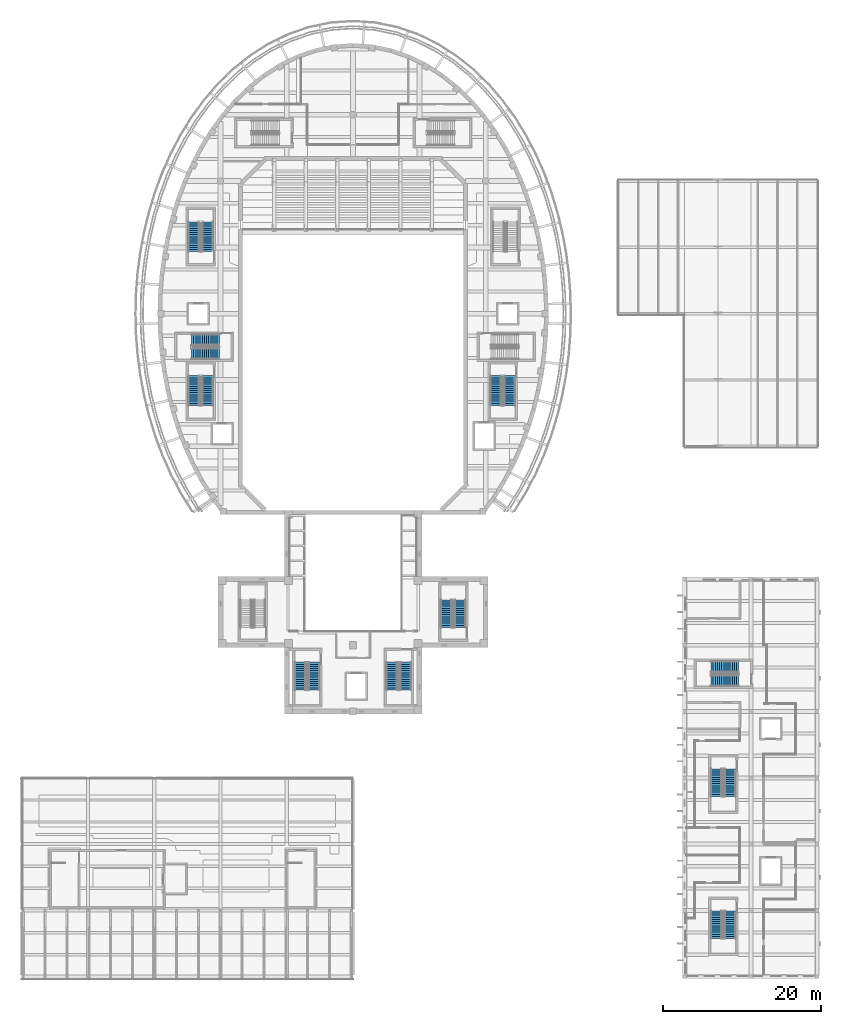
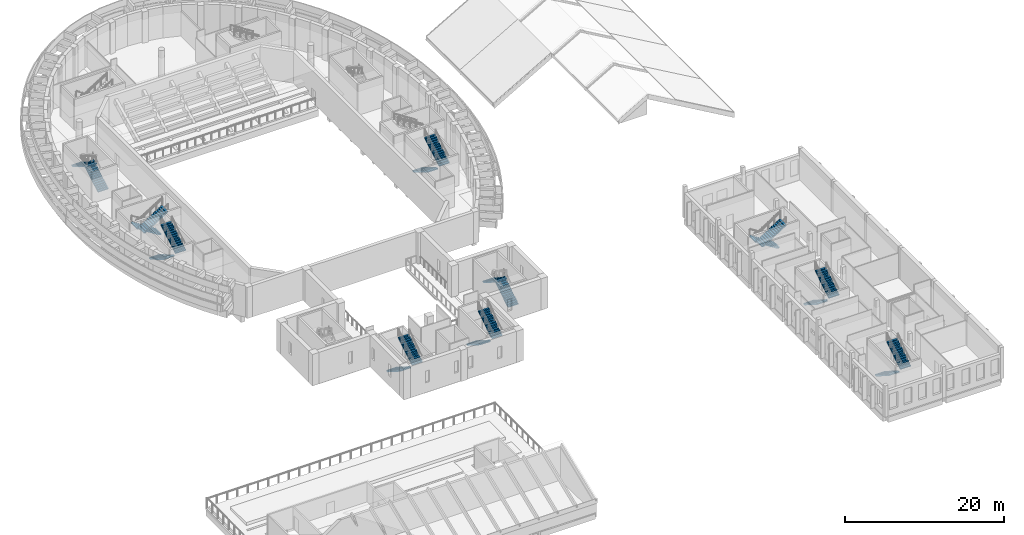
# One storey, part 15 of 37: 20 stair flights, 10 elements without a shape of their own.
"""IFC4 building model written with IfcOpenShell, lengths in metres."""

from ifc_helpers import new_model, si_unit, direction, frame, origin, place, context, subcontext, project, spatial, polyline, outline, extrude, material, type_object, element, aggregate, save


model = new_model("IFC4")

# Units and contexts
model_context = context("Model", 3, precision=1e-05, world=origin(), true_north=direction((0.0, 1.0)))
body_context = subcontext(model_context, "Body", "Model", "MODEL_VIEW")
ifc_project = project(units=[si_unit("LENGTHUNIT", "METRE"), si_unit("AREAUNIT", "SQUARE_METRE"), si_unit("VOLUMEUNIT", "CUBIC_METRE"), si_unit("PLANEANGLEUNIT", "RADIAN"), si_unit("MASSUNIT", "GRAM", prefix="KILO")], contexts=[model_context])

# Site, building, storey
site_placement = place(None, origin())
site = spatial("IfcSite", under=ifc_project, at=site_placement, CompositionType="ELEMENT")
building_placement = place(site_placement, origin())
building = spatial("IfcBuilding", under=site, at=building_placement, Name="Larchfold Concert Hall", CompositionType="ELEMENT")
storey_placement = place(building_placement, frame((0.0, 0.0, 19.199951171875)))
storey = spatial("IfcBuildingStorey", under=building, at=storey_placement, Name="L04", CompositionType="ELEMENT", Elevation=19.199951171875)

# Stair, stair flights
ifc_material_1 = material(Name="Concrete C35/45", Category="concrete")
stair_type = type_object("IfcStairType", Name="Stair RC half-turn enclosed", PredefinedType="HALF_TURN_STAIR", material=ifc_material_1)
stair_1_placement = place(storey_placement, origin())
stair_1 = element("IfcStair", 1, at=stair_1_placement, inside=storey, type_object=stair_type, Name="Stair DS4", PredefinedType="HALF_TURN_STAIR")
ifc_material_2 = material(Name="Concrete C35/45", Category="concrete")
stair_flight_type_1 = type_object("IfcStairFlightType", Name="Stair flight RC 1500 x 160.0", PredefinedType="STRAIGHT", material=ifc_material_2)
stair_flight_1_placement = place(storey_placement, frame((24.14990234375, 92.449951171875, 0.0), z_axis=(0.0, 0.0, 1.0), x_axis=(0.0, 1.0, 0.0)))
stair_flight_1 = element("IfcStairFlight", 2, at=stair_flight_1_placement, type_object=stair_flight_type_1, Name="ST04 flight 1", NumberOfRisers=15, NumberOfTreads=14, PredefinedType="STRAIGHT", RiserHeight=0.16, TreadLength=0.27, context=body_context, shape_type="SweptSolid", body=[
    extrude(outline(polyline([(0.0, 0.0), (0.0, 0.159912109375), (0.27001953125, 0.159912109375), (0.27001953125, 0.320068359375), (0.5400390625, 0.320068359375), (0.5400390625, 0.47998046875), (0.81005859375, 0.47998046875), (0.81005859375, 0.639892578125), (1.080078125, 0.639892578125), (1.080078125, 0.800048828125), (1.35009765625, 0.800048828125), (1.35009765625, 0.9599609375), (1.6201171875, 0.9599609375), (1.6201171875, 1.1201171875), (1.889892578125, 1.1201171875), (1.889892578125, 1.280029296875), (2.159912109375, 1.280029296875), (2.159912109375, 1.43994140625), (2.429931640625, 1.43994140625), (2.429931640625, 1.60009765625), (2.699951171875, 1.60009765625), (2.699951171875, 1.760009765625), (2.969970703125, 1.760009765625), (2.969970703125, 1.919921875), (3.239990234375, 1.919921875), (3.239990234375, 2.080078125), (3.510009765625, 2.080078125), (3.510009765625, 2.239990234375), (3.780029296875, 2.239990234375), (3.780029296875, 2.39990234375), (3.780029296875, 2.065673828125), (0.2939453125, 0.0), (0.0, 0.0)])), frame((0.0, 0.75, 0.0), z_axis=(0.0, -1.0, 0.0), x_axis=(1.0, 0.0, 0.0)), (0.0, 0.0, 1.0), 1.5),
])
stair_flight_2_placement = place(storey_placement, frame((22.449951171875, 96.22998046875, 2.400146484375), z_axis=(0.0, 0.0, 1.0), x_axis=(0.0, -1.0, 0.0)))
stair_flight_2 = element("IfcStairFlight", 3, at=stair_flight_2_placement, type_object=stair_flight_type_1, Name="ST04 flight 2", NumberOfRisers=15, NumberOfTreads=14, PredefinedType="STRAIGHT", RiserHeight=0.16, TreadLength=0.27, context=body_context, shape_type="SweptSolid", body=[
    extrude(outline(polyline([(0.0, 0.0), (0.0, 0.159912109375), (0.27001953125, 0.159912109375), (0.27001953125, 0.320068359375), (0.5400390625, 0.320068359375), (0.5400390625, 0.47998046875), (0.81005859375, 0.47998046875), (0.81005859375, 0.639892578125), (1.080078125, 0.639892578125), (1.080078125, 0.800048828125), (1.35009765625, 0.800048828125), (1.35009765625, 0.9599609375), (1.6201171875, 0.9599609375), (1.6201171875, 1.1201171875), (1.889892578125, 1.1201171875), (1.889892578125, 1.280029296875), (2.159912109375, 1.280029296875), (2.159912109375, 1.43994140625), (2.429931640625, 1.43994140625), (2.429931640625, 1.60009765625), (2.699951171875, 1.60009765625), (2.699951171875, 1.760009765625), (2.969970703125, 1.760009765625), (2.969970703125, 1.919921875), (3.239990234375, 1.919921875), (3.239990234375, 2.080078125), (3.510009765625, 2.080078125), (3.510009765625, 2.239990234375), (3.780029296875, 2.239990234375), (3.780029296875, 2.39990234375), (3.780029296875, 2.065673828125), (0.2939453125, 0.0), (0.0, 0.0)])), frame((0.0, 0.75, 0.0), z_axis=(0.0, -1.0, 0.0), x_axis=(1.0, 0.0, 0.0)), (0.0, 0.0, 1.0), 1.5),
])
aggregate(stair_1, [stair_flight_1, stair_flight_2])

stair_2_placement = place(storey_placement, origin())
stair_2 = element("IfcStair", 4, at=stair_2_placement, inside=storey, type_object=stair_type, Name="Stair DS5", PredefinedType="HALF_TURN_STAIR")
stair_flight_3_placement = place(storey_placement, frame((22.449951171875, 76.75, 0.0), z_axis=(0.0, 0.0, 1.0), x_axis=(0.0, -1.0, 0.0)))
stair_flight_3 = element("IfcStairFlight", 5, at=stair_flight_3_placement, type_object=stair_flight_type_1, Name="ST05 flight 1", NumberOfRisers=15, NumberOfTreads=14, PredefinedType="STRAIGHT", RiserHeight=0.16, TreadLength=0.27, context=body_context, shape_type="SweptSolid", body=[
    extrude(outline(polyline([(0.0, 0.0), (0.0, 0.159912109375), (0.27001953125, 0.159912109375), (0.27001953125, 0.320068359375), (0.5400390625, 0.320068359375), (0.5400390625, 0.47998046875), (0.81005859375, 0.47998046875), (0.81005859375, 0.639892578125), (1.080078125, 0.639892578125), (1.080078125, 0.800048828125), (1.35009765625, 0.800048828125), (1.35009765625, 0.9599609375), (1.6201171875, 0.9599609375), (1.6201171875, 1.1201171875), (1.889892578125, 1.1201171875), (1.889892578125, 1.280029296875), (2.159912109375, 1.280029296875), (2.159912109375, 1.43994140625), (2.429931640625, 1.43994140625), (2.429931640625, 1.60009765625), (2.699951171875, 1.60009765625), (2.699951171875, 1.760009765625), (2.969970703125, 1.760009765625), (2.969970703125, 1.919921875), (3.239990234375, 1.919921875), (3.239990234375, 2.080078125), (3.510009765625, 2.080078125), (3.510009765625, 2.239990234375), (3.780029296875, 2.239990234375), (3.780029296875, 2.39990234375), (3.780029296875, 2.065673828125), (0.2939453125, 0.0), (0.0, 0.0)])), frame((0.0, 0.75, 0.0), z_axis=(0.0, -1.0, 0.0), x_axis=(1.0, 0.0, 0.0)), (0.0, 0.0, 1.0), 1.5),
])
stair_flight_4_placement = place(storey_placement, frame((24.14990234375, 72.969970703125, 2.400146484375), z_axis=(0.0, 0.0, 1.0), x_axis=(0.0, 1.0, 0.0)))
stair_flight_4 = element("IfcStairFlight", 6, at=stair_flight_4_placement, type_object=stair_flight_type_1, Name="ST05 flight 2", NumberOfRisers=15, NumberOfTreads=14, PredefinedType="STRAIGHT", RiserHeight=0.16, TreadLength=0.27, context=body_context, shape_type="SweptSolid", body=[
    extrude(outline(polyline([(0.0, 0.0), (0.0, 0.159912109375), (0.27001953125, 0.159912109375), (0.27001953125, 0.320068359375), (0.5400390625, 0.320068359375), (0.5400390625, 0.47998046875), (0.81005859375, 0.47998046875), (0.81005859375, 0.639892578125), (1.080078125, 0.639892578125), (1.080078125, 0.800048828125), (1.35009765625, 0.800048828125), (1.35009765625, 0.9599609375), (1.6201171875, 0.9599609375), (1.6201171875, 1.1201171875), (1.889892578125, 1.1201171875), (1.889892578125, 1.280029296875), (2.159912109375, 1.280029296875), (2.159912109375, 1.43994140625), (2.429931640625, 1.43994140625), (2.429931640625, 1.60009765625), (2.699951171875, 1.60009765625), (2.699951171875, 1.760009765625), (2.969970703125, 1.760009765625), (2.969970703125, 1.919921875), (3.239990234375, 1.919921875), (3.239990234375, 2.080078125), (3.510009765625, 2.080078125), (3.510009765625, 2.239990234375), (3.780029296875, 2.239990234375), (3.780029296875, 2.39990234375), (3.780029296875, 2.065673828125), (0.2939453125, 0.0), (0.0, 0.0)])), frame((0.0, 0.75, 0.0), z_axis=(0.0, -1.0, 0.0), x_axis=(1.0, 0.0, 0.0)), (0.0, 0.0, 1.0), 1.5),
])
aggregate(stair_2, [stair_flight_3, stair_flight_4])

stair_3_placement = place(storey_placement, origin())
stair_3 = element("IfcStair", 7, at=stair_3_placement, inside=storey, type_object=stair_type, Name="Stair DS6", PredefinedType="HALF_TURN_STAIR")
stair_flight_5_placement = place(storey_placement, frame((60.699951171875, 76.75, 0.0), z_axis=(0.0, 0.0, 1.0), x_axis=(0.0, -1.0, 0.0)))
stair_flight_5 = element("IfcStairFlight", 8, at=stair_flight_5_placement, type_object=stair_flight_type_1, Name="ST06 flight 1", NumberOfRisers=15, NumberOfTreads=14, PredefinedType="STRAIGHT", RiserHeight=0.16, TreadLength=0.27, context=body_context, shape_type="SweptSolid", body=[
    extrude(outline(polyline([(0.0, 0.0), (0.0, 0.159912109375), (0.27001953125, 0.159912109375), (0.27001953125, 0.320068359375), (0.5400390625, 0.320068359375), (0.5400390625, 0.47998046875), (0.81005859375, 0.47998046875), (0.81005859375, 0.639892578125), (1.080078125, 0.639892578125), (1.080078125, 0.800048828125), (1.35009765625, 0.800048828125), (1.35009765625, 0.9599609375), (1.6201171875, 0.9599609375), (1.6201171875, 1.1201171875), (1.889892578125, 1.1201171875), (1.889892578125, 1.280029296875), (2.159912109375, 1.280029296875), (2.159912109375, 1.43994140625), (2.429931640625, 1.43994140625), (2.429931640625, 1.60009765625), (2.699951171875, 1.60009765625), (2.699951171875, 1.760009765625), (2.969970703125, 1.760009765625), (2.969970703125, 1.919921875), (3.239990234375, 1.919921875), (3.239990234375, 2.080078125), (3.510009765625, 2.080078125), (3.510009765625, 2.239990234375), (3.780029296875, 2.239990234375), (3.780029296875, 2.39990234375), (3.780029296875, 2.065673828125), (0.2939453125, 0.0), (0.0, 0.0)])), frame((0.0, 0.75, 0.0), z_axis=(0.0, -1.0, 0.0), x_axis=(1.0, 0.0, 0.0)), (0.0, 0.0, 1.0), 1.5),
])
stair_flight_6_placement = place(storey_placement, frame((62.39990234375, 72.969970703125, 2.400146484375), z_axis=(0.0, 0.0, 1.0), x_axis=(0.0, 1.0, 0.0)))
stair_flight_6 = element("IfcStairFlight", 9, at=stair_flight_6_placement, type_object=stair_flight_type_1, Name="ST06 flight 2", NumberOfRisers=15, NumberOfTreads=14, PredefinedType="STRAIGHT", RiserHeight=0.16, TreadLength=0.27, context=body_context, shape_type="SweptSolid", body=[
    extrude(outline(polyline([(0.0, 0.0), (0.0, 0.159912109375), (0.27001953125, 0.159912109375), (0.27001953125, 0.320068359375), (0.5400390625, 0.320068359375), (0.5400390625, 0.47998046875), (0.81005859375, 0.47998046875), (0.81005859375, 0.639892578125), (1.080078125, 0.639892578125), (1.080078125, 0.800048828125), (1.35009765625, 0.800048828125), (1.35009765625, 0.9599609375), (1.6201171875, 0.9599609375), (1.6201171875, 1.1201171875), (1.889892578125, 1.1201171875), (1.889892578125, 1.280029296875), (2.159912109375, 1.280029296875), (2.159912109375, 1.43994140625), (2.429931640625, 1.43994140625), (2.429931640625, 1.60009765625), (2.699951171875, 1.60009765625), (2.699951171875, 1.760009765625), (2.969970703125, 1.760009765625), (2.969970703125, 1.919921875), (3.239990234375, 1.919921875), (3.239990234375, 2.080078125), (3.510009765625, 2.080078125), (3.510009765625, 2.239990234375), (3.780029296875, 2.239990234375), (3.780029296875, 2.39990234375), (3.780029296875, 2.065673828125), (0.2939453125, 0.0), (0.0, 0.0)])), frame((0.0, 0.75, 0.0), z_axis=(0.0, -1.0, 0.0), x_axis=(1.0, 0.0, 0.0)), (0.0, 0.0, 1.0), 1.5),
])
aggregate(stair_3, [stair_flight_5, stair_flight_6])

stair_4_placement = place(storey_placement, origin())
stair_4 = element("IfcStair", 10, at=stair_4_placement, inside=storey, type_object=stair_type, Name="Stair DS7", PredefinedType="HALF_TURN_STAIR")
ifc_material_3 = material(Name="Concrete C35/45", Category="concrete")
stair_flight_type_2 = type_object("IfcStairFlightType", Name="Stair flight RC 1500 x 171.4", PredefinedType="STRAIGHT", material=ifc_material_3)
stair_flight_7_placement = place(storey_placement, frame((25.64990234375, 81.25, 0.0), z_axis=(0.0, 0.0, 1.0), x_axis=(-1.0, 0.0, 0.0)))
stair_flight_7 = element("IfcStairFlight", 11, at=stair_flight_7_placement, type_object=stair_flight_type_2, Name="ST07 flight 1", NumberOfRisers=14, NumberOfTreads=13, PredefinedType="STRAIGHT", RiserHeight=0.171428571, TreadLength=0.27, context=body_context, shape_type="SweptSolid", body=[
    extrude(outline(polyline([(0.0, 0.0), (0.0, 0.17138671875), (0.27001953125, 0.17138671875), (0.27001953125, 0.3427734375), (0.5400390625, 0.3427734375), (0.5400390625, 0.514404296875), (0.81005859375, 0.514404296875), (0.81005859375, 0.685791015625), (1.080078125, 0.685791015625), (1.080078125, 0.857177734375), (1.35009765625, 0.857177734375), (1.35009765625, 1.028564453125), (1.6201171875, 1.028564453125), (1.6201171875, 1.199951171875), (1.889892578125, 1.199951171875), (1.889892578125, 1.371337890625), (2.159912109375, 1.371337890625), (2.159912109375, 1.54296875), (2.429931640625, 1.54296875), (2.429931640625, 1.71435546875), (2.699951171875, 1.71435546875), (2.699951171875, 1.8857421875), (2.969970703125, 1.8857421875), (2.969970703125, 2.05712890625), (3.239990234375, 2.05712890625), (3.239990234375, 2.228515625), (3.510009765625, 2.228515625), (3.510009765625, 2.39990234375), (3.510009765625, 2.051025390625), (0.27978515625, 0.0), (0.0, 0.0)])), frame((0.0, 0.75, 0.0), z_axis=(0.0, -1.0, 0.0), x_axis=(1.0, 0.0, 0.0)), (0.0, 0.0, 1.0), 1.5),
])
stair_flight_8_placement = place(storey_placement, frame((22.139892578125, 79.550048828125, 2.400146484375), z_axis=(0.0, 0.0, 1.0), x_axis=(1.0, 0.0, 0.0)))
stair_flight_8 = element("IfcStairFlight", 12, at=stair_flight_8_placement, type_object=stair_flight_type_2, Name="ST07 flight 2", NumberOfRisers=14, NumberOfTreads=13, PredefinedType="STRAIGHT", RiserHeight=0.171428571, TreadLength=0.27, context=body_context, shape_type="SweptSolid", body=[
    extrude(outline(polyline([(0.0, 0.0), (0.0, 0.17138671875), (0.27001953125, 0.17138671875), (0.27001953125, 0.3427734375), (0.5400390625, 0.3427734375), (0.5400390625, 0.514404296875), (0.81005859375, 0.514404296875), (0.81005859375, 0.685791015625), (1.080078125, 0.685791015625), (1.080078125, 0.857177734375), (1.35009765625, 0.857177734375), (1.35009765625, 1.028564453125), (1.6201171875, 1.028564453125), (1.6201171875, 1.199951171875), (1.889892578125, 1.199951171875), (1.889892578125, 1.371337890625), (2.159912109375, 1.371337890625), (2.159912109375, 1.54296875), (2.429931640625, 1.54296875), (2.429931640625, 1.71435546875), (2.699951171875, 1.71435546875), (2.699951171875, 1.8857421875), (2.969970703125, 1.8857421875), (2.969970703125, 2.05712890625), (3.239990234375, 2.05712890625), (3.239990234375, 2.228515625), (3.510009765625, 2.228515625), (3.510009765625, 2.39990234375), (3.510009765625, 2.051025390625), (0.27978515625, 0.0), (0.0, 0.0)])), frame((0.0, 0.75, 0.0), z_axis=(0.0, -1.0, 0.0), x_axis=(1.0, 0.0, 0.0)), (0.0, 0.0, 1.0), 1.5),
])
aggregate(stair_4, [stair_flight_7, stair_flight_8])

stair_5_placement = place(storey_placement, origin())
stair_5 = element("IfcStair", 13, at=stair_5_placement, inside=storey, type_object=stair_type, Name="Stair SH2", PredefinedType="HALF_TURN_STAIR")
stair_flight_9_placement = place(storey_placement, frame((56.14990234375, 44.85009765625, 0.0), z_axis=(0.0, 0.0, 1.0), x_axis=(0.0, 1.0, 0.0)))
stair_flight_9 = element("IfcStairFlight", 14, at=stair_flight_9_placement, type_object=stair_flight_type_2, Name="ST10 flight 1", NumberOfRisers=14, NumberOfTreads=13, PredefinedType="STRAIGHT", RiserHeight=0.171428571, TreadLength=0.27, context=body_context, shape_type="SweptSolid", body=[
    extrude(outline(polyline([(0.0, 0.0), (0.0, 0.17138671875), (0.27001953125, 0.17138671875), (0.27001953125, 0.3427734375), (0.5400390625, 0.3427734375), (0.5400390625, 0.514404296875), (0.81005859375, 0.514404296875), (0.81005859375, 0.685791015625), (1.080078125, 0.685791015625), (1.080078125, 0.857177734375), (1.35009765625, 0.857177734375), (1.35009765625, 1.028564453125), (1.6201171875, 1.028564453125), (1.6201171875, 1.199951171875), (1.889892578125, 1.199951171875), (1.889892578125, 1.371337890625), (2.159912109375, 1.371337890625), (2.159912109375, 1.54296875), (2.429931640625, 1.54296875), (2.429931640625, 1.71435546875), (2.699951171875, 1.71435546875), (2.699951171875, 1.8857421875), (2.969970703125, 1.8857421875), (2.969970703125, 2.05712890625), (3.239990234375, 2.05712890625), (3.239990234375, 2.228515625), (3.510009765625, 2.228515625), (3.510009765625, 2.39990234375), (3.510009765625, 2.051025390625), (0.27978515625, 0.0), (0.0, 0.0)])), frame((0.0, 0.75, 0.0), z_axis=(0.0, -1.0, 0.0), x_axis=(1.0, 0.0, 0.0)), (0.0, 0.0, 1.0), 1.5),
])
stair_flight_10_placement = place(storey_placement, frame((54.449951171875, 48.360107421875, 2.400146484375), z_axis=(0.0, 0.0, 1.0), x_axis=(0.0, -1.0, 0.0)))
stair_flight_10 = element("IfcStairFlight", 15, at=stair_flight_10_placement, type_object=stair_flight_type_2, Name="ST10 flight 2", NumberOfRisers=14, NumberOfTreads=13, PredefinedType="STRAIGHT", RiserHeight=0.171428571, TreadLength=0.27, context=body_context, shape_type="SweptSolid", body=[
    extrude(outline(polyline([(0.0, 0.0), (0.0, 0.17138671875), (0.27001953125, 0.17138671875), (0.27001953125, 0.3427734375), (0.5400390625, 0.3427734375), (0.5400390625, 0.514404296875), (0.81005859375, 0.514404296875), (0.81005859375, 0.685791015625), (1.080078125, 0.685791015625), (1.080078125, 0.857177734375), (1.35009765625, 0.857177734375), (1.35009765625, 1.028564453125), (1.6201171875, 1.028564453125), (1.6201171875, 1.199951171875), (1.889892578125, 1.199951171875), (1.889892578125, 1.371337890625), (2.159912109375, 1.371337890625), (2.159912109375, 1.54296875), (2.429931640625, 1.54296875), (2.429931640625, 1.71435546875), (2.699951171875, 1.71435546875), (2.699951171875, 1.8857421875), (2.969970703125, 1.8857421875), (2.969970703125, 2.05712890625), (3.239990234375, 2.05712890625), (3.239990234375, 2.228515625), (3.510009765625, 2.228515625), (3.510009765625, 2.39990234375), (3.510009765625, 2.051025390625), (0.27978515625, 0.0), (0.0, 0.0)])), frame((0.0, 0.75, 0.0), z_axis=(0.0, -1.0, 0.0), x_axis=(1.0, 0.0, 0.0)), (0.0, 0.0, 1.0), 1.5),
])
aggregate(stair_5, [stair_flight_9, stair_flight_10])

stair_6_placement = place(storey_placement, origin())
stair_6 = element("IfcStair", 16, at=stair_6_placement, inside=storey, type_object=stair_type, Name="Stair SH3", PredefinedType="HALF_TURN_STAIR")
stair_flight_11_placement = place(storey_placement, frame((35.949951171875, 40.449951171875, 0.0), z_axis=(0.0, 0.0, 1.0), x_axis=(0.0, -1.0, 0.0)))
stair_flight_11 = element("IfcStairFlight", 17, at=stair_flight_11_placement, type_object=stair_flight_type_2, Name="ST11 flight 1", NumberOfRisers=14, NumberOfTreads=13, PredefinedType="STRAIGHT", RiserHeight=0.171428571, TreadLength=0.27, context=body_context, shape_type="SweptSolid", body=[
    extrude(outline(polyline([(0.0, 0.0), (0.0, 0.17138671875), (0.27001953125, 0.17138671875), (0.27001953125, 0.3427734375), (0.5400390625, 0.3427734375), (0.5400390625, 0.514404296875), (0.81005859375, 0.514404296875), (0.81005859375, 0.685791015625), (1.080078125, 0.685791015625), (1.080078125, 0.857177734375), (1.35009765625, 0.857177734375), (1.35009765625, 1.028564453125), (1.6201171875, 1.028564453125), (1.6201171875, 1.199951171875), (1.889892578125, 1.199951171875), (1.889892578125, 1.371337890625), (2.159912109375, 1.371337890625), (2.159912109375, 1.54296875), (2.429931640625, 1.54296875), (2.429931640625, 1.71435546875), (2.699951171875, 1.71435546875), (2.699951171875, 1.8857421875), (2.969970703125, 1.8857421875), (2.969970703125, 2.05712890625), (3.239990234375, 2.05712890625), (3.239990234375, 2.228515625), (3.510009765625, 2.228515625), (3.510009765625, 2.39990234375), (3.510009765625, 2.051025390625), (0.27978515625, 0.0), (0.0, 0.0)])), frame((0.0, 0.75, 0.0), z_axis=(0.0, -1.0, 0.0), x_axis=(1.0, 0.0, 0.0)), (0.0, 0.0, 1.0), 1.5),
])
stair_flight_12_placement = place(storey_placement, frame((37.64990234375, 36.93994140625, 2.400146484375), z_axis=(0.0, 0.0, 1.0), x_axis=(0.0, 1.0, 0.0)))
stair_flight_12 = element("IfcStairFlight", 18, at=stair_flight_12_placement, type_object=stair_flight_type_2, Name="ST11 flight 2", NumberOfRisers=14, NumberOfTreads=13, PredefinedType="STRAIGHT", RiserHeight=0.171428571, TreadLength=0.27, context=body_context, shape_type="SweptSolid", body=[
    extrude(outline(polyline([(0.0, 0.0), (0.0, 0.17138671875), (0.27001953125, 0.17138671875), (0.27001953125, 0.3427734375), (0.5400390625, 0.3427734375), (0.5400390625, 0.514404296875), (0.81005859375, 0.514404296875), (0.81005859375, 0.685791015625), (1.080078125, 0.685791015625), (1.080078125, 0.857177734375), (1.35009765625, 0.857177734375), (1.35009765625, 1.028564453125), (1.6201171875, 1.028564453125), (1.6201171875, 1.199951171875), (1.889892578125, 1.199951171875), (1.889892578125, 1.371337890625), (2.159912109375, 1.371337890625), (2.159912109375, 1.54296875), (2.429931640625, 1.54296875), (2.429931640625, 1.71435546875), (2.699951171875, 1.71435546875), (2.699951171875, 1.8857421875), (2.969970703125, 1.8857421875), (2.969970703125, 2.05712890625), (3.239990234375, 2.05712890625), (3.239990234375, 2.228515625), (3.510009765625, 2.228515625), (3.510009765625, 2.39990234375), (3.510009765625, 2.051025390625), (0.27978515625, 0.0), (0.0, 0.0)])), frame((0.0, 0.75, 0.0), z_axis=(0.0, -1.0, 0.0), x_axis=(1.0, 0.0, 0.0)), (0.0, 0.0, 1.0), 1.5),
])
aggregate(stair_6, [stair_flight_11, stair_flight_12])

stair_7_placement = place(storey_placement, origin())
stair_7 = element("IfcStair", 19, at=stair_7_placement, inside=storey, type_object=stair_type, Name="Stair SH4", PredefinedType="HALF_TURN_STAIR")
stair_flight_13_placement = place(storey_placement, frame((47.550048828125, 40.449951171875, 0.0), z_axis=(0.0, 0.0, 1.0), x_axis=(0.0, -1.0, 0.0)))
stair_flight_13 = element("IfcStairFlight", 20, at=stair_flight_13_placement, type_object=stair_flight_type_2, Name="ST12 flight 1", NumberOfRisers=14, NumberOfTreads=13, PredefinedType="STRAIGHT", RiserHeight=0.171428571, TreadLength=0.27, context=body_context, shape_type="SweptSolid", body=[
    extrude(outline(polyline([(0.0, 0.0), (0.0, 0.17138671875), (0.27001953125, 0.17138671875), (0.27001953125, 0.3427734375), (0.5400390625, 0.3427734375), (0.5400390625, 0.514404296875), (0.81005859375, 0.514404296875), (0.81005859375, 0.685791015625), (1.080078125, 0.685791015625), (1.080078125, 0.857177734375), (1.35009765625, 0.857177734375), (1.35009765625, 1.028564453125), (1.6201171875, 1.028564453125), (1.6201171875, 1.199951171875), (1.889892578125, 1.199951171875), (1.889892578125, 1.371337890625), (2.159912109375, 1.371337890625), (2.159912109375, 1.54296875), (2.429931640625, 1.54296875), (2.429931640625, 1.71435546875), (2.699951171875, 1.71435546875), (2.699951171875, 1.8857421875), (2.969970703125, 1.8857421875), (2.969970703125, 2.05712890625), (3.239990234375, 2.05712890625), (3.239990234375, 2.228515625), (3.510009765625, 2.228515625), (3.510009765625, 2.39990234375), (3.510009765625, 2.051025390625), (0.27978515625, 0.0), (0.0, 0.0)])), frame((0.0, 0.75, 0.0), z_axis=(0.0, -1.0, 0.0), x_axis=(1.0, 0.0, 0.0)), (0.0, 0.0, 1.0), 1.5),
])
stair_flight_14_placement = place(storey_placement, frame((49.25, 36.93994140625, 2.400146484375), z_axis=(0.0, 0.0, 1.0), x_axis=(0.0, 1.0, 0.0)))
stair_flight_14 = element("IfcStairFlight", 21, at=stair_flight_14_placement, type_object=stair_flight_type_2, Name="ST12 flight 2", NumberOfRisers=14, NumberOfTreads=13, PredefinedType="STRAIGHT", RiserHeight=0.171428571, TreadLength=0.27, context=body_context, shape_type="SweptSolid", body=[
    extrude(outline(polyline([(0.0, 0.0), (0.0, 0.17138671875), (0.27001953125, 0.17138671875), (0.27001953125, 0.3427734375), (0.5400390625, 0.3427734375), (0.5400390625, 0.514404296875), (0.81005859375, 0.514404296875), (0.81005859375, 0.685791015625), (1.080078125, 0.685791015625), (1.080078125, 0.857177734375), (1.35009765625, 0.857177734375), (1.35009765625, 1.028564453125), (1.6201171875, 1.028564453125), (1.6201171875, 1.199951171875), (1.889892578125, 1.199951171875), (1.889892578125, 1.371337890625), (2.159912109375, 1.371337890625), (2.159912109375, 1.54296875), (2.429931640625, 1.54296875), (2.429931640625, 1.71435546875), (2.699951171875, 1.71435546875), (2.699951171875, 1.8857421875), (2.969970703125, 1.8857421875), (2.969970703125, 2.05712890625), (3.239990234375, 2.05712890625), (3.239990234375, 2.228515625), (3.510009765625, 2.228515625), (3.510009765625, 2.39990234375), (3.510009765625, 2.051025390625), (0.27978515625, 0.0), (0.0, 0.0)])), frame((0.0, 0.75, 0.0), z_axis=(0.0, -1.0, 0.0), x_axis=(1.0, 0.0, 0.0)), (0.0, 0.0, 1.0), 1.5),
])
aggregate(stair_7, [stair_flight_13, stair_flight_14])

stair_8_placement = place(storey_placement, origin())
stair_8 = element("IfcStair", 22, at=stair_8_placement, inside=storey, type_object=stair_type, Name="Stair AW1", PredefinedType="HALF_TURN_STAIR")
stair_flight_15_placement = place(storey_placement, frame((88.64990234375, 8.949951171875, 0.0), z_axis=(0.0, 0.0, 1.0), x_axis=(0.0, -1.0, 0.0)))
stair_flight_15 = element("IfcStairFlight", 23, at=stair_flight_15_placement, type_object=stair_flight_type_2, Name="ST13 flight 1", NumberOfRisers=14, NumberOfTreads=13, PredefinedType="STRAIGHT", RiserHeight=0.171428571, TreadLength=0.27, context=body_context, shape_type="SweptSolid", body=[
    extrude(outline(polyline([(0.0, 0.0), (0.0, 0.17138671875), (0.27001953125, 0.17138671875), (0.27001953125, 0.3427734375), (0.5400390625, 0.3427734375), (0.5400390625, 0.514404296875), (0.81005859375, 0.514404296875), (0.81005859375, 0.685791015625), (1.080078125, 0.685791015625), (1.080078125, 0.857177734375), (1.35009765625, 0.857177734375), (1.35009765625, 1.028564453125), (1.6201171875, 1.028564453125), (1.6201171875, 1.199951171875), (1.889892578125, 1.199951171875), (1.889892578125, 1.371337890625), (2.159912109375, 1.371337890625), (2.159912109375, 1.54296875), (2.429931640625, 1.54296875), (2.429931640625, 1.71435546875), (2.699951171875, 1.71435546875), (2.699951171875, 1.8857421875), (2.969970703125, 1.8857421875), (2.969970703125, 2.05712890625), (3.239990234375, 2.05712890625), (3.239990234375, 2.228515625), (3.510009765625, 2.228515625), (3.510009765625, 2.39990234375), (3.510009765625, 2.051025390625), (0.27978515625, 0.0), (0.0, 0.0)])), frame((0.0, 0.75, 0.0), z_axis=(0.0, -1.0, 0.0), x_axis=(1.0, 0.0, 0.0)), (0.0, 0.0, 1.0), 1.5),
])
stair_flight_16_placement = place(storey_placement, frame((90.349853515625, 5.43994140625, 2.400146484375), z_axis=(0.0, 0.0, 1.0), x_axis=(0.0, 1.0, 0.0)))
stair_flight_16 = element("IfcStairFlight", 24, at=stair_flight_16_placement, type_object=stair_flight_type_2, Name="ST13 flight 2", NumberOfRisers=14, NumberOfTreads=13, PredefinedType="STRAIGHT", RiserHeight=0.171428571, TreadLength=0.27, context=body_context, shape_type="SweptSolid", body=[
    extrude(outline(polyline([(0.0, 0.0), (0.0, 0.17138671875), (0.27001953125, 0.17138671875), (0.27001953125, 0.3427734375), (0.5400390625, 0.3427734375), (0.5400390625, 0.514404296875), (0.81005859375, 0.514404296875), (0.81005859375, 0.685791015625), (1.080078125, 0.685791015625), (1.080078125, 0.857177734375), (1.35009765625, 0.857177734375), (1.35009765625, 1.028564453125), (1.6201171875, 1.028564453125), (1.6201171875, 1.199951171875), (1.889892578125, 1.199951171875), (1.889892578125, 1.371337890625), (2.159912109375, 1.371337890625), (2.159912109375, 1.54296875), (2.429931640625, 1.54296875), (2.429931640625, 1.71435546875), (2.699951171875, 1.71435546875), (2.699951171875, 1.8857421875), (2.969970703125, 1.8857421875), (2.969970703125, 2.05712890625), (3.239990234375, 2.05712890625), (3.239990234375, 2.228515625), (3.510009765625, 2.228515625), (3.510009765625, 2.39990234375), (3.510009765625, 2.051025390625), (0.27978515625, 0.0), (0.0, 0.0)])), frame((0.0, 0.75, 0.0), z_axis=(0.0, -1.0, 0.0), x_axis=(1.0, 0.0, 0.0)), (0.0, 0.0, 1.0), 1.5),
])
aggregate(stair_8, [stair_flight_15, stair_flight_16])

stair_9_placement = place(storey_placement, origin())
stair_9 = element("IfcStair", 25, at=stair_9_placement, inside=storey, type_object=stair_type, Name="Stair AW2", PredefinedType="HALF_TURN_STAIR")
stair_flight_17_placement = place(storey_placement, frame((88.64990234375, 26.949951171875, 0.0), z_axis=(0.0, 0.0, 1.0), x_axis=(0.0, -1.0, 0.0)))
stair_flight_17 = element("IfcStairFlight", 26, at=stair_flight_17_placement, type_object=stair_flight_type_2, Name="ST14 flight 1", NumberOfRisers=14, NumberOfTreads=13, PredefinedType="STRAIGHT", RiserHeight=0.171428571, TreadLength=0.27, context=body_context, shape_type="SweptSolid", body=[
    extrude(outline(polyline([(0.0, 0.0), (0.0, 0.17138671875), (0.27001953125, 0.17138671875), (0.27001953125, 0.3427734375), (0.5400390625, 0.3427734375), (0.5400390625, 0.514404296875), (0.81005859375, 0.514404296875), (0.81005859375, 0.685791015625), (1.080078125, 0.685791015625), (1.080078125, 0.857177734375), (1.35009765625, 0.857177734375), (1.35009765625, 1.028564453125), (1.6201171875, 1.028564453125), (1.6201171875, 1.199951171875), (1.889892578125, 1.199951171875), (1.889892578125, 1.371337890625), (2.159912109375, 1.371337890625), (2.159912109375, 1.54296875), (2.429931640625, 1.54296875), (2.429931640625, 1.71435546875), (2.699951171875, 1.71435546875), (2.699951171875, 1.8857421875), (2.969970703125, 1.8857421875), (2.969970703125, 2.05712890625), (3.239990234375, 2.05712890625), (3.239990234375, 2.228515625), (3.510009765625, 2.228515625), (3.510009765625, 2.39990234375), (3.510009765625, 2.051025390625), (0.27978515625, 0.0), (0.0, 0.0)])), frame((0.0, 0.75, 0.0), z_axis=(0.0, -1.0, 0.0), x_axis=(1.0, 0.0, 0.0)), (0.0, 0.0, 1.0), 1.5),
])
stair_flight_18_placement = place(storey_placement, frame((90.349853515625, 23.43994140625, 2.400146484375), z_axis=(0.0, 0.0, 1.0), x_axis=(0.0, 1.0, 0.0)))
stair_flight_18 = element("IfcStairFlight", 27, at=stair_flight_18_placement, type_object=stair_flight_type_2, Name="ST14 flight 2", NumberOfRisers=14, NumberOfTreads=13, PredefinedType="STRAIGHT", RiserHeight=0.171428571, TreadLength=0.27, context=body_context, shape_type="SweptSolid", body=[
    extrude(outline(polyline([(0.0, 0.0), (0.0, 0.17138671875), (0.27001953125, 0.17138671875), (0.27001953125, 0.3427734375), (0.5400390625, 0.3427734375), (0.5400390625, 0.514404296875), (0.81005859375, 0.514404296875), (0.81005859375, 0.685791015625), (1.080078125, 0.685791015625), (1.080078125, 0.857177734375), (1.35009765625, 0.857177734375), (1.35009765625, 1.028564453125), (1.6201171875, 1.028564453125), (1.6201171875, 1.199951171875), (1.889892578125, 1.199951171875), (1.889892578125, 1.371337890625), (2.159912109375, 1.371337890625), (2.159912109375, 1.54296875), (2.429931640625, 1.54296875), (2.429931640625, 1.71435546875), (2.699951171875, 1.71435546875), (2.699951171875, 1.8857421875), (2.969970703125, 1.8857421875), (2.969970703125, 2.05712890625), (3.239990234375, 2.05712890625), (3.239990234375, 2.228515625), (3.510009765625, 2.228515625), (3.510009765625, 2.39990234375), (3.510009765625, 2.051025390625), (0.27978515625, 0.0), (0.0, 0.0)])), frame((0.0, 0.75, 0.0), z_axis=(0.0, -1.0, 0.0), x_axis=(1.0, 0.0, 0.0)), (0.0, 0.0, 1.0), 1.5),
])
aggregate(stair_9, [stair_flight_17, stair_flight_18])

stair_10_placement = place(storey_placement, origin())
stair_10 = element("IfcStair", 28, at=stair_10_placement, inside=storey, type_object=stair_type, Name="Stair AW3", PredefinedType="HALF_TURN_STAIR")
stair_flight_19_placement = place(storey_placement, frame((91.449951171875, 39.85009765625, 0.0), z_axis=(0.0, 0.0, 1.0), x_axis=(-1.0, 0.0, 0.0)))
stair_flight_19 = element("IfcStairFlight", 29, at=stair_flight_19_placement, type_object=stair_flight_type_2, Name="ST15 flight 1", NumberOfRisers=14, NumberOfTreads=13, PredefinedType="STRAIGHT", RiserHeight=0.171428571, TreadLength=0.27, context=body_context, shape_type="SweptSolid", body=[
    extrude(outline(polyline([(0.0, 0.0), (0.0, 0.17138671875), (0.27001953125, 0.17138671875), (0.27001953125, 0.3427734375), (0.5400390625, 0.3427734375), (0.5400390625, 0.514404296875), (0.81005859375, 0.514404296875), (0.81005859375, 0.685791015625), (1.080078125, 0.685791015625), (1.080078125, 0.857177734375), (1.35009765625, 0.857177734375), (1.35009765625, 1.028564453125), (1.6201171875, 1.028564453125), (1.6201171875, 1.199951171875), (1.889892578125, 1.199951171875), (1.889892578125, 1.371337890625), (2.159912109375, 1.371337890625), (2.159912109375, 1.54296875), (2.429931640625, 1.54296875), (2.429931640625, 1.71435546875), (2.699951171875, 1.71435546875), (2.699951171875, 1.8857421875), (2.969970703125, 1.8857421875), (2.969970703125, 2.05712890625), (3.239990234375, 2.05712890625), (3.239990234375, 2.228515625), (3.510009765625, 2.228515625), (3.510009765625, 2.39990234375), (3.510009765625, 2.051025390625), (0.27978515625, 0.0), (0.0, 0.0)])), frame((0.0, 0.75, 0.0), z_axis=(0.0, -1.0, 0.0), x_axis=(1.0, 0.0, 0.0)), (0.0, 0.0, 1.0), 1.5),
])
stair_flight_20_placement = place(storey_placement, frame((87.93994140625, 38.150146484375, 2.400146484375), z_axis=(0.0, 0.0, 1.0), x_axis=(1.0, 0.0, 0.0)))
stair_flight_20 = element("IfcStairFlight", 30, at=stair_flight_20_placement, type_object=stair_flight_type_2, Name="ST15 flight 2", NumberOfRisers=14, NumberOfTreads=13, PredefinedType="STRAIGHT", RiserHeight=0.171428571, TreadLength=0.27, context=body_context, shape_type="SweptSolid", body=[
    extrude(outline(polyline([(0.0, 0.0), (0.0, 0.17138671875), (0.27001953125, 0.17138671875), (0.27001953125, 0.3427734375), (0.5400390625, 0.3427734375), (0.5400390625, 0.514404296875), (0.81005859375, 0.514404296875), (0.81005859375, 0.685791015625), (1.080078125, 0.685791015625), (1.080078125, 0.857177734375), (1.35009765625, 0.857177734375), (1.35009765625, 1.028564453125), (1.6201171875, 1.028564453125), (1.6201171875, 1.199951171875), (1.889892578125, 1.199951171875), (1.889892578125, 1.371337890625), (2.159912109375, 1.371337890625), (2.159912109375, 1.54296875), (2.429931640625, 1.54296875), (2.429931640625, 1.71435546875), (2.699951171875, 1.71435546875), (2.699951171875, 1.8857421875), (2.969970703125, 1.8857421875), (2.969970703125, 2.05712890625), (3.239990234375, 2.05712890625), (3.239990234375, 2.228515625), (3.510009765625, 2.228515625), (3.510009765625, 2.39990234375), (3.510009765625, 2.051025390625), (0.27978515625, 0.0), (0.0, 0.0)])), frame((0.0, 0.75, 0.0), z_axis=(0.0, -1.0, 0.0), x_axis=(1.0, 0.0, 0.0)), (0.0, 0.0, 1.0), 1.5),
])
aggregate(stair_10, [stair_flight_19, stair_flight_20])

save(model, "model.ifc")
